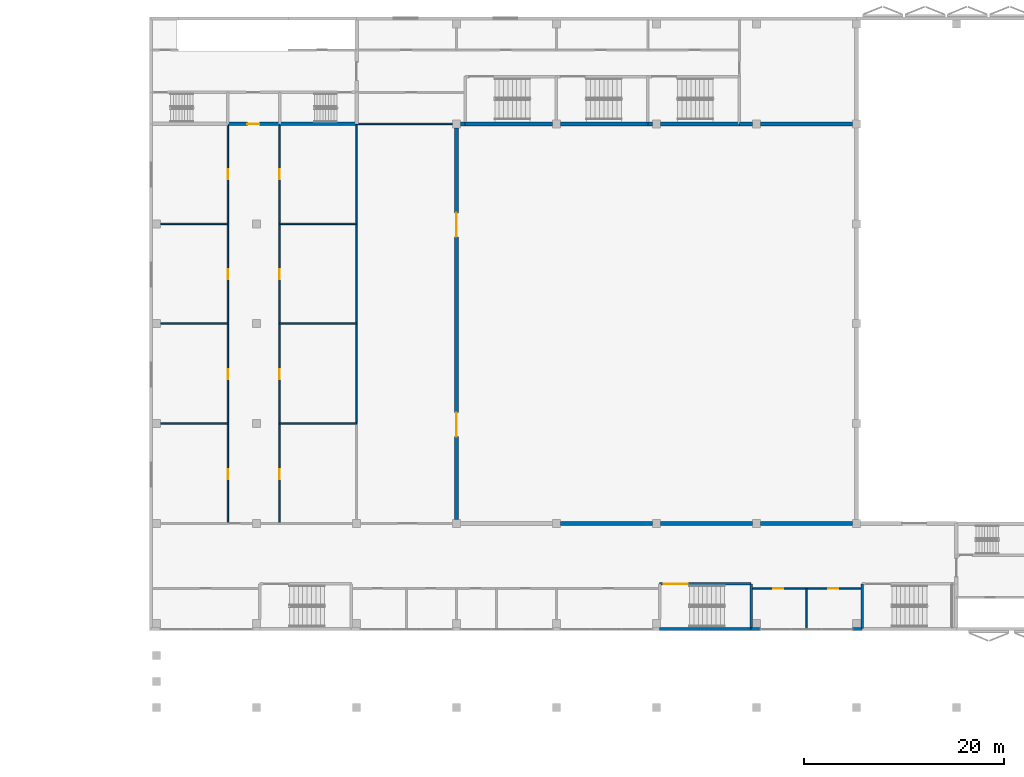
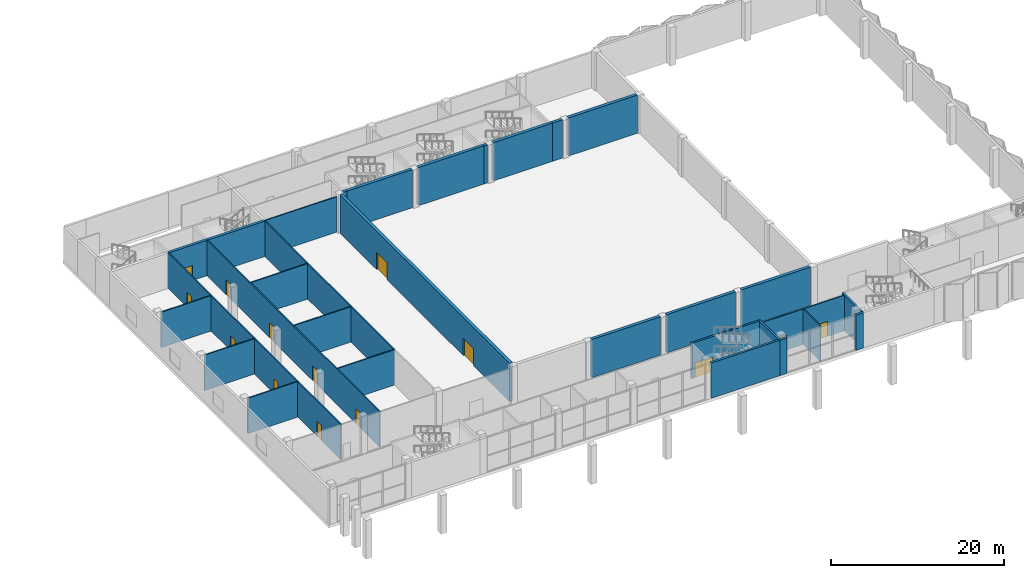
# One storey, part 14 of 35: 33 walls, 14 doors, 14 openings.
"""IFC4 building model written with IfcOpenShell, lengths in metres."""

from ifc_helpers import new_model, si_unit, direction, frame, frame_2d, origin, place, context, subcontext, project, spatial, rectangle, extrude, material, layer, layer_set, type_object, element, fill, save


model = new_model("IFC4")

# Units and contexts
model_context = context("Model", 3, precision=1e-05, world=origin(), true_north=direction((0.0, 1.0)))
body_context = subcontext(model_context, "Body", "Model", "MODEL_VIEW")
ifc_project = project(units=[si_unit("LENGTHUNIT", "METRE"), si_unit("AREAUNIT", "SQUARE_METRE"), si_unit("VOLUMEUNIT", "CUBIC_METRE"), si_unit("PLANEANGLEUNIT", "RADIAN"), si_unit("MASSUNIT", "GRAM", prefix="KILO")], contexts=[model_context])

# Site, building, storey
site_placement = place(None, origin())
site = spatial("IfcSite", under=ifc_project, at=site_placement, CompositionType="ELEMENT")
building_placement = place(site_placement, origin())
building = spatial("IfcBuilding", under=site, at=building_placement, Name="Jabali Bay Hotel Tower and Convention Centre", CompositionType="ELEMENT")
storey_placement = place(building_placement, frame((0.0, 0.0, 15.0)))
storey = spatial("IfcBuildingStorey", under=building, at=storey_placement, Name="L02", CompositionType="ELEMENT", Elevation=15.0)

# Wall, opening, door
ifc_material_1 = material(Name="Concrete C60", Category="concrete")
ifc_layer_1 = layer(ifc_material_1, 0.35009765625)
ifc_layer_set_1 = layer_set([ifc_layer_1], Name="Concrete C60")
wall_type_1 = type_object("IfcWallType", Name="CC Core Wall 350", PredefinedType="SHEAR", material=ifc_layer_set_1)
wall_1_placement = place(storey_placement, frame((163.0, 100.0, 0.0), z_axis=(0.0, 0.0, 1.0), x_axis=(-1.0, 0.0, 0.0)))
wall_1 = element("IfcWall", 1, at=wall_1_placement, inside=storey, type_object=wall_type_1, Name="CC west core wall", PredefinedType="SHEAR", context=body_context, shape_type="SweptSolid", body=[
    extrude(rectangle(XDim=5.175048828125, YDim=0.35009765625, at=frame_2d((2.58740234375, 0.0))), origin(), (0.0, 0.0, 1.0), 4.989990234375),
])
opening_1_placement = place(wall_1_placement, frame((2.02490234375, 0.0, 0.0)))
opening_1 = element("IfcOpeningElement", 2, at=opening_1_placement, cuts=wall_1, Name="Opening CC-D037", PredefinedType="OPENING", context=body_context, shape_type="SweptSolid", body=[
    extrude(rectangle(XDim=1.199951171875, YDim=2.10009765625, at=frame_2d((0.60009765625, 1.050048828125))), frame((0.0, 0.185546875, 0.0), z_axis=(0.0, -1.0, 0.0), x_axis=(1.0, 0.0, 0.0)), (0.0, 0.0, 1.0), 0.37109375),
])
ifc_material_2 = material(Name="Timber and steel door set", Category="steel")
door_type_1 = type_object("IfcDoorType", Name="CC Vestibule Door 1200x2100", OperationType="NOTDEFINED", PredefinedType="DOOR", material=ifc_material_2)
door_1_placement = place(opening_1_placement, origin())
door_1 = element("IfcDoor", 3, at=door_1_placement, inside=storey, type_object=door_type_1, Name="CC door CC-D037", OperationType="SINGLE_SWING_LEFT", OverallHeight=2.10009765625, OverallWidth=1.199951171875, PredefinedType="DOOR", context=body_context, shape_type="SweptSolid", body=[
    extrude(rectangle(XDim=1.199951171875, YDim=2.10009765625, at=frame_2d((0.60009765625, 1.050048828125))), frame((0.0, 0.02490234375, 0.0), z_axis=(0.0, -1.0, 0.0), x_axis=(1.0, 0.0, 0.0)), (0.0, 0.0, 1.0), 0.050048828125),
])
fill(opening_1, door_1)

# Walls
wall_2_placement = place(storey_placement, frame((163.0, 100.0, 0.0), z_axis=(0.0, 0.0, 1.0), x_axis=(1.0, 0.0, 0.0)))
element("IfcWall", 4, at=wall_2_placement, inside=storey, type_object=wall_type_1, Name="CC west core wall", PredefinedType="SHEAR", context=body_context, shape_type="SweptSolid", body=[
    extrude(rectangle(XDim=7.699951171875, YDim=0.35009765625, at=frame_2d((3.85009765625, 0.0))), origin(), (0.0, 0.0, 1.0), 4.989990234375),
])
ifc_material_3 = material(Name="Concrete C40", Category="concrete")
ifc_layer_2 = layer(ifc_material_3, 0.300048828125)
ifc_layer_set_2 = layer_set([ifc_layer_2], Name="Concrete C40")
wall_type_2 = type_object("IfcWallType", Name="CC External Wall 300", PredefinedType="SOLIDWALL", material=ifc_layer_set_2)
wall_3_placement = place(storey_placement, frame((201.02490234375, 49.449951171875, 0.0), z_axis=(0.0, 0.0, 1.0), x_axis=(1.0, 0.0, 0.0)))
element("IfcWall", 5, at=wall_3_placement, inside=storey, type_object=wall_type_2, Name="CC wall 298", PredefinedType="SOLIDWALL", context=body_context, shape_type="SweptSolid", body=[
    extrude(rectangle(XDim=9.150146484375, YDim=0.300048828125, at=frame_2d((4.5751953125, 0.0))), origin(), (0.0, 0.0, 1.0), 4.989990234375),
])
wall_4_placement = place(storey_placement, frame((210.175048828125, 49.449951171875, 0.0), z_axis=(0.0, 0.0, 1.0), x_axis=(1.0, 0.0, 0.0)))
element("IfcWall", 6, at=wall_4_placement, inside=storey, type_object=wall_type_2, Name="CC wall 299", PredefinedType="SOLIDWALL", context=body_context, shape_type="SweptSolid", body=[
    extrude(rectangle(XDim=0.925048828125, YDim=0.300048828125, at=frame_2d((0.46240234375, 0.0))), origin(), (0.0, 0.0, 1.0), 4.989990234375),
])
wall_5_placement = place(storey_placement, frame((220.300048828125, 49.449951171875, 0.0), z_axis=(0.0, 0.0, 1.0), x_axis=(1.0, 0.0, 0.0)))
element("IfcWall", 7, at=wall_5_placement, inside=storey, type_object=wall_type_2, Name="CC wall 300", PredefinedType="SOLIDWALL", context=body_context, shape_type="SweptSolid", body=[
    extrude(rectangle(XDim=0.974853515625, YDim=0.300048828125, at=frame_2d((0.4873046875, 0.0))), origin(), (0.0, 0.0, 1.0), 4.989990234375),
])

# Wall, openings, doors
ifc_layer_3 = layer(ifc_material_3, 0.39990234375)
ifc_layer_set_3 = layer_set([ifc_layer_3], Name="Concrete C40")
wall_type_3 = type_object("IfcWallType", Name="CC Hall Wall 400", PredefinedType="SHEAR", material=ifc_layer_set_3)
wall_6_placement = place(storey_placement, frame((180.699951171875, 60.39990234375, 0.0), z_axis=(0.0, 0.0, 1.0), x_axis=(0.0, 1.0, 0.0)))
wall_6 = element("IfcWall", 8, at=wall_6_placement, inside=storey, type_object=wall_type_3, Name="CC ballroom wall", PredefinedType="SHEAR", context=body_context, shape_type="SweptSolid", body=[
    extrude(rectangle(XDim=39.2001953125, YDim=0.39990234375, at=frame_2d((19.60009765625, 0.0))), origin(), (0.0, 0.0, 1.0), 5.39990234375),
])
opening_2_placement = place(wall_6_placement, frame((8.300048828125, 0.0, 0.0)))
opening_2 = element("IfcOpeningElement", 9, at=opening_2_placement, cuts=wall_6, Name="Opening CC-D117", PredefinedType="OPENING", context=body_context, shape_type="SweptSolid", body=[
    extrude(rectangle(XDim=2.39990234375, YDim=2.39990234375, at=frame_2d((1.199951171875, 1.199951171875))), frame((0.0, 0.21044921875, 0.0), z_axis=(0.0, -1.0, 0.0), x_axis=(1.0, 0.0, 0.0)), (0.0, 0.0, 1.0), 0.4208984375),
])
opening_3_placement = place(wall_6_placement, frame((28.300048828125, 0.0, 0.0)))
opening_3 = element("IfcOpeningElement", 10, at=opening_3_placement, cuts=wall_6, Name="Opening CC-D118", PredefinedType="OPENING", context=body_context, shape_type="SweptSolid", body=[
    extrude(rectangle(XDim=2.39990234375, YDim=2.39990234375, at=frame_2d((1.199951171875, 1.199951171875))), frame((0.0, 0.21044921875, 0.0), z_axis=(0.0, -1.0, 0.0), x_axis=(1.0, 0.0, 0.0)), (0.0, 0.0, 1.0), 0.4208984375),
])
door_type_2 = type_object("IfcDoorType", Name="CC Hall Double Door 2400x2400", OperationType="NOTDEFINED", PredefinedType="DOOR", material=ifc_material_2)
door_2_placement = place(opening_2_placement, origin())
door_2 = element("IfcDoor", 11, at=door_2_placement, inside=storey, type_object=door_type_2, Name="CC door CC-D117", OperationType="DOUBLE_DOOR_SINGLE_SWING", OverallHeight=2.39990234375, OverallWidth=2.39990234375, PredefinedType="DOOR", context=body_context, shape_type="SweptSolid", body=[
    extrude(rectangle(XDim=2.39990234375, YDim=2.39990234375, at=frame_2d((1.199951171875, 1.199951171875))), frame((0.0, 0.02490234375, 0.0), z_axis=(0.0, -1.0, 0.0), x_axis=(1.0, 0.0, 0.0)), (0.0, 0.0, 1.0), 0.050048828125),
])
fill(opening_2, door_2)
door_3_placement = place(opening_3_placement, origin())
door_3 = element("IfcDoor", 12, at=door_3_placement, inside=storey, type_object=door_type_2, Name="CC door CC-D118", OperationType="DOUBLE_DOOR_SINGLE_SWING", OverallHeight=2.39990234375, OverallWidth=2.39990234375, PredefinedType="DOOR", context=body_context, shape_type="SweptSolid", body=[
    extrude(rectangle(XDim=2.39990234375, YDim=2.39990234375, at=frame_2d((1.199951171875, 1.199951171875))), frame((0.0, 0.02490234375, 0.0), z_axis=(0.0, -1.0, 0.0), x_axis=(1.0, 0.0, 0.0)), (0.0, 0.0, 1.0), 0.050048828125),
])
fill(opening_3, door_3)

# Walls
for number, where, z_axis, x_axis, name in (
    (13, (191.10009765625, 60.0, 0.0), (0.0, 0.0, 1.0), (1.0, 0.0, 0.0), "CC ballroom wall"),
    (14, (201.10009765625, 60.0, 0.0), (0.0, 0.0, 1.0), (1.0, 0.0, 0.0), "CC ballroom wall"),
    (15, (211.10009765625, 60.0, 0.0), (0.0, 0.0, 1.0), (1.0, 0.0, 0.0), "CC ballroom wall"),
):
    element("IfcWall", number, at=place(storey_placement, frame(where, z_axis=z_axis, x_axis=x_axis)), inside=storey, type_object=wall_type_3, Name=name, PredefinedType="SHEAR", context=body_context, shape_type="SweptSolid", body=[
        extrude(rectangle(XDim=9.199951171875, YDim=0.39990234375, at=frame_2d((4.60009765625, 0.0))), origin(), (0.0, 0.0, 1.0), 5.39990234375),
    ])
wall_7_placement = place(storey_placement, frame((181.10009765625, 100.0, 0.0), z_axis=(0.0, 0.0, 1.0), x_axis=(1.0, 0.0, 0.0)))
element("IfcWall", 16, at=wall_7_placement, inside=storey, type_object=wall_type_3, Name="CC ballroom wall", PredefinedType="SHEAR", context=body_context, shape_type="SweptSolid", body=[
    extrude(rectangle(XDim=0.449951171875, YDim=0.39990234375, at=frame_2d((0.22509765625, 0.0))), origin(), (0.0, 0.0, 1.0), 5.39990234375),
])
for number, where, z_axis, x_axis, name in (
    (17, (181.550048828125, 100.0, 0.0), (0.0, 0.0, 1.0), (1.0, 0.0, 0.0), "CC ballroom wall"),
    (18, (191.10009765625, 100.0, 0.0), (0.0, 0.0, 1.0), (1.0, 0.0, 0.0), "CC ballroom wall"),
):
    element("IfcWall", number, at=place(storey_placement, frame(where, z_axis=z_axis, x_axis=x_axis)), inside=storey, type_object=wall_type_3, Name=name, PredefinedType="SHEAR", context=body_context, shape_type="SweptSolid", body=[
        extrude(rectangle(XDim=8.75, YDim=0.39990234375, at=frame_2d((4.375, 0.0))), origin(), (0.0, 0.0, 1.0), 5.39990234375),
    ])
wall_8_placement = place(storey_placement, frame((199.85009765625, 100.0, 0.0), z_axis=(0.0, 0.0, 1.0), x_axis=(1.0, 0.0, 0.0)))
element("IfcWall", 19, at=wall_8_placement, inside=storey, type_object=wall_type_3, Name="CC ballroom wall", PredefinedType="SHEAR", context=body_context, shape_type="SweptSolid", body=[
    extrude(rectangle(XDim=0.449951171875, YDim=0.39990234375, at=frame_2d((0.22509765625, 0.0))), origin(), (0.0, 0.0, 1.0), 5.39990234375),
])
wall_9_placement = place(storey_placement, frame((201.10009765625, 100.0, 0.0), z_axis=(0.0, 0.0, 1.0), x_axis=(1.0, 0.0, 0.0)))
element("IfcWall", 20, at=wall_9_placement, inside=storey, type_object=wall_type_3, Name="CC ballroom wall", PredefinedType="SHEAR", context=body_context, shape_type="SweptSolid", body=[
    extrude(rectangle(XDim=7.89990234375, YDim=0.39990234375, at=frame_2d((3.949951171875, 0.0))), origin(), (0.0, 0.0, 1.0), 5.39990234375),
])
wall_10_placement = place(storey_placement, frame((209.0, 100.0, 0.0), z_axis=(0.0, 0.0, 1.0), x_axis=(1.0, 0.0, 0.0)))
element("IfcWall", 21, at=wall_10_placement, inside=storey, type_object=wall_type_3, Name="CC ballroom wall", PredefinedType="SHEAR", context=body_context, shape_type="SweptSolid", body=[
    extrude(rectangle(XDim=1.300048828125, YDim=0.39990234375, at=frame_2d((0.64990234375, 0.0))), origin(), (0.0, 0.0, 1.0), 5.39990234375),
])
wall_11_placement = place(storey_placement, frame((211.10009765625, 100.0, 0.0), z_axis=(0.0, 0.0, 1.0), x_axis=(1.0, 0.0, 0.0)))
element("IfcWall", 22, at=wall_11_placement, inside=storey, type_object=wall_type_3, Name="CC ballroom wall", PredefinedType="SHEAR", context=body_context, shape_type="SweptSolid", body=[
    extrude(rectangle(XDim=9.199951171875, YDim=0.39990234375, at=frame_2d((4.60009765625, 0.0))), origin(), (0.0, 0.0, 1.0), 5.39990234375),
])

# Wall, openings, doors
ifc_material_4 = material(Name="Blockwork M10", Category="masonry")
ifc_layer_4 = layer(ifc_material_4, 0.14990234375)
ifc_layer_set_4 = layer_set([ifc_layer_4], Name="Blockwork M10")
wall_type_4 = type_object("IfcWallType", Name="CC Partition 150", PredefinedType="PARTITIONING", material=ifc_layer_set_4)
wall_12_placement = place(storey_placement, frame((210.175048828125, 53.5, 0.0), z_axis=(0.0, 0.0, 1.0), x_axis=(1.0, 0.0, 0.0)))
wall_12 = element("IfcWall", 23, at=wall_12_placement, inside=storey, type_object=wall_type_4, Name="CC wall 414", PredefinedType="PARTITIONING", context=body_context, shape_type="SweptSolid", body=[
    extrude(rectangle(XDim=11.099853515625, YDim=0.14990234375, at=frame_2d((5.5498046875, 0.0))), origin(), (0.0, 0.0, 1.0), 4.989990234375),
])
opening_4_placement = place(wall_12_placement, frame((7.72509765625, 0.0, 0.0)))
opening_4 = element("IfcOpeningElement", 24, at=opening_4_placement, cuts=wall_12, Name="Opening CC-D030", PredefinedType="OPENING", context=body_context, shape_type="SweptSolid", body=[
    extrude(rectangle(XDim=1.0, YDim=2.10009765625, at=frame_2d((0.5, 1.050048828125))), frame((0.0, 0.08544921875, 0.0), z_axis=(0.0, -1.0, 0.0), x_axis=(1.0, 0.0, 0.0)), (0.0, 0.0, 1.0), 0.1708984375),
])
opening_5_placement = place(wall_12_placement, frame((2.199951171875, 0.0, 0.0)))
opening_5 = element("IfcOpeningElement", 25, at=opening_5_placement, cuts=wall_12, Name="Opening CC-D032", PredefinedType="OPENING", context=body_context, shape_type="SweptSolid", body=[
    extrude(rectangle(XDim=1.0, YDim=2.10009765625, at=frame_2d((0.5, 1.050048828125))), frame((0.0, 0.08544921875, 0.0), z_axis=(0.0, -1.0, 0.0), x_axis=(1.0, 0.0, 0.0)), (0.0, 0.0, 1.0), 0.1708984375),
])
door_type_3 = type_object("IfcDoorType", Name="CC Single Door 1000x2100", OperationType="NOTDEFINED", PredefinedType="DOOR", material=ifc_material_2)
door_4_placement = place(opening_4_placement, origin())
door_4 = element("IfcDoor", 26, at=door_4_placement, inside=storey, type_object=door_type_3, Name="CC door CC-D030", OperationType="SINGLE_SWING_RIGHT", OverallHeight=2.10009765625, OverallWidth=1.0, PredefinedType="DOOR", context=body_context, shape_type="SweptSolid", body=[
    extrude(rectangle(XDim=1.0, YDim=2.10009765625, at=frame_2d((0.5, 1.050048828125))), frame((0.0, 0.02490234375, 0.0), z_axis=(0.0, -1.0, 0.0), x_axis=(1.0, 0.0, 0.0)), (0.0, 0.0, 1.0), 0.050048828125),
])
fill(opening_4, door_4)
door_5_placement = place(opening_5_placement, origin())
door_5 = element("IfcDoor", 27, at=door_5_placement, inside=storey, type_object=door_type_3, Name="CC door CC-D032", OperationType="SINGLE_SWING_RIGHT", OverallHeight=2.10009765625, OverallWidth=1.0, PredefinedType="DOOR", context=body_context, shape_type="SweptSolid", body=[
    extrude(rectangle(XDim=1.0, YDim=2.10009765625, at=frame_2d((0.5, 1.050048828125))), frame((0.0, 0.02490234375, 0.0), z_axis=(0.0, -1.0, 0.0), x_axis=(1.0, 0.0, 0.0)), (0.0, 0.0, 1.0), 0.050048828125),
])
fill(opening_5, door_5)

# Wall
wall_13_placement = place(storey_placement, frame((215.699951171875, 49.5, 0.0), z_axis=(0.0, 0.0, 1.0), x_axis=(0.0, 1.0, 0.0)))
element("IfcWall", 28, at=wall_13_placement, inside=storey, type_object=wall_type_4, Name="CC wall 430", PredefinedType="PARTITIONING", context=body_context, shape_type="SweptSolid", body=[
    extrude(rectangle(XDim=4.0, YDim=0.14990234375, at=frame_2d((2.0, 0.0))), origin(), (0.0, 0.0, 1.0), 4.989990234375),
])

# Wall, openings, doors
wall_14_placement = place(storey_placement, frame((157.824951171875, 100.0, 0.0), z_axis=(0.0, 0.0, 1.0), x_axis=(0.0, -1.0, 0.0)))
wall_14 = element("IfcWall", 29, at=wall_14_placement, inside=storey, type_object=wall_type_4, Name="CC wall 431", PredefinedType="PARTITIONING", context=body_context, shape_type="SweptSolid", body=[
    extrude(rectangle(XDim=40.0, YDim=0.14990234375, at=frame_2d((20.0, 0.0))), origin(), (0.0, 0.0, 1.0), 4.989990234375),
])
opening_6_placement = place(wall_14_placement, frame((34.550048828125, 0.0, 0.0)))
opening_6 = element("IfcOpeningElement", 30, at=opening_6_placement, cuts=wall_14, Name="Opening CC-D038", PredefinedType="OPENING", context=body_context, shape_type="SweptSolid", body=[
    extrude(rectangle(XDim=1.0, YDim=2.10009765625, at=frame_2d((0.5, 1.050048828125))), frame((0.0, 0.08544921875, 0.0), z_axis=(0.0, -1.0, 0.0), x_axis=(1.0, 0.0, 0.0)), (0.0, 0.0, 1.0), 0.1708984375),
])
opening_7_placement = place(wall_14_placement, frame((24.550048828125, 0.0, 0.0)))
opening_7 = element("IfcOpeningElement", 31, at=opening_7_placement, cuts=wall_14, Name="Opening CC-D040", PredefinedType="OPENING", context=body_context, shape_type="SweptSolid", body=[
    extrude(rectangle(XDim=1.0, YDim=2.10009765625, at=frame_2d((0.5, 1.050048828125))), frame((0.0, 0.08544921875, 0.0), z_axis=(0.0, -1.0, 0.0), x_axis=(1.0, 0.0, 0.0)), (0.0, 0.0, 1.0), 0.1708984375),
])
opening_8_placement = place(wall_14_placement, frame((14.550048828125, 0.0, 0.0)))
opening_8 = element("IfcOpeningElement", 32, at=opening_8_placement, cuts=wall_14, Name="Opening CC-D042", PredefinedType="OPENING", context=body_context, shape_type="SweptSolid", body=[
    extrude(rectangle(XDim=1.0, YDim=2.10009765625, at=frame_2d((0.5, 1.050048828125))), frame((0.0, 0.08544921875, 0.0), z_axis=(0.0, -1.0, 0.0), x_axis=(1.0, 0.0, 0.0)), (0.0, 0.0, 1.0), 0.1708984375),
])
opening_9_placement = place(wall_14_placement, frame((4.550048828125, 0.0, 0.0)))
opening_9 = element("IfcOpeningElement", 33, at=opening_9_placement, cuts=wall_14, Name="Opening CC-D044", PredefinedType="OPENING", context=body_context, shape_type="SweptSolid", body=[
    extrude(rectangle(XDim=1.0, YDim=2.10009765625, at=frame_2d((0.5, 1.050048828125))), frame((0.0, 0.08544921875, 0.0), z_axis=(0.0, -1.0, 0.0), x_axis=(1.0, 0.0, 0.0)), (0.0, 0.0, 1.0), 0.1708984375),
])
door_6_placement = place(opening_6_placement, origin())
door_6 = element("IfcDoor", 34, at=door_6_placement, inside=storey, type_object=door_type_3, Name="CC door CC-D038", OperationType="SINGLE_SWING_RIGHT", OverallHeight=2.10009765625, OverallWidth=1.0, PredefinedType="DOOR", context=body_context, shape_type="SweptSolid", body=[
    extrude(rectangle(XDim=1.0, YDim=2.10009765625, at=frame_2d((0.5, 1.050048828125))), frame((0.0, 0.02490234375, 0.0), z_axis=(0.0, -1.0, 0.0), x_axis=(1.0, 0.0, 0.0)), (0.0, 0.0, 1.0), 0.050048828125),
])
fill(opening_6, door_6)
door_7_placement = place(opening_7_placement, origin())
door_7 = element("IfcDoor", 35, at=door_7_placement, inside=storey, type_object=door_type_3, Name="CC door CC-D040", OperationType="SINGLE_SWING_RIGHT", OverallHeight=2.10009765625, OverallWidth=1.0, PredefinedType="DOOR", context=body_context, shape_type="SweptSolid", body=[
    extrude(rectangle(XDim=1.0, YDim=2.10009765625, at=frame_2d((0.5, 1.050048828125))), frame((0.0, 0.02490234375, 0.0), z_axis=(0.0, -1.0, 0.0), x_axis=(1.0, 0.0, 0.0)), (0.0, 0.0, 1.0), 0.050048828125),
])
fill(opening_7, door_7)
door_8_placement = place(opening_8_placement, origin())
door_8 = element("IfcDoor", 36, at=door_8_placement, inside=storey, type_object=door_type_3, Name="CC door CC-D042", OperationType="SINGLE_SWING_RIGHT", OverallHeight=2.10009765625, OverallWidth=1.0, PredefinedType="DOOR", context=body_context, shape_type="SweptSolid", body=[
    extrude(rectangle(XDim=1.0, YDim=2.10009765625, at=frame_2d((0.5, 1.050048828125))), frame((0.0, 0.02490234375, 0.0), z_axis=(0.0, -1.0, 0.0), x_axis=(1.0, 0.0, 0.0)), (0.0, 0.0, 1.0), 0.050048828125),
])
fill(opening_8, door_8)
door_9_placement = place(opening_9_placement, origin())
door_9 = element("IfcDoor", 37, at=door_9_placement, inside=storey, type_object=door_type_3, Name="CC door CC-D044", OperationType="SINGLE_SWING_RIGHT", OverallHeight=2.10009765625, OverallWidth=1.0, PredefinedType="DOOR", context=body_context, shape_type="SweptSolid", body=[
    extrude(rectangle(XDim=1.0, YDim=2.10009765625, at=frame_2d((0.5, 1.050048828125))), frame((0.0, 0.02490234375, 0.0), z_axis=(0.0, -1.0, 0.0), x_axis=(1.0, 0.0, 0.0)), (0.0, 0.0, 1.0), 0.050048828125),
])
fill(opening_9, door_9)

wall_15_placement = place(storey_placement, frame((163.0, 60.0, 0.0), z_axis=(0.0, 0.0, 1.0), x_axis=(0.0, 1.0, 0.0)))
wall_15 = element("IfcWall", 38, at=wall_15_placement, inside=storey, type_object=wall_type_4, Name="CC wall 432", PredefinedType="PARTITIONING", context=body_context, shape_type="SweptSolid", body=[
    extrude(rectangle(XDim=40.0, YDim=0.14990234375, at=frame_2d((20.0, 0.0))), origin(), (0.0, 0.0, 1.0), 4.989990234375),
])
opening_10_placement = place(wall_15_placement, frame((4.449951171875, 0.0, 0.0)))
opening_10 = element("IfcOpeningElement", 39, at=opening_10_placement, cuts=wall_15, Name="Opening CC-D039", PredefinedType="OPENING", context=body_context, shape_type="SweptSolid", body=[
    extrude(rectangle(XDim=1.0, YDim=2.10009765625, at=frame_2d((0.5, 1.050048828125))), frame((0.0, 0.08544921875, 0.0), z_axis=(0.0, -1.0, 0.0), x_axis=(1.0, 0.0, 0.0)), (0.0, 0.0, 1.0), 0.1708984375),
])
opening_11_placement = place(wall_15_placement, frame((14.449951171875, 0.0, 0.0)))
opening_11 = element("IfcOpeningElement", 40, at=opening_11_placement, cuts=wall_15, Name="Opening CC-D041", PredefinedType="OPENING", context=body_context, shape_type="SweptSolid", body=[
    extrude(rectangle(XDim=1.0, YDim=2.10009765625, at=frame_2d((0.5, 1.050048828125))), frame((0.0, 0.08544921875, 0.0), z_axis=(0.0, -1.0, 0.0), x_axis=(1.0, 0.0, 0.0)), (0.0, 0.0, 1.0), 0.1708984375),
])
opening_12_placement = place(wall_15_placement, frame((24.449951171875, 0.0, 0.0)))
opening_12 = element("IfcOpeningElement", 41, at=opening_12_placement, cuts=wall_15, Name="Opening CC-D043", PredefinedType="OPENING", context=body_context, shape_type="SweptSolid", body=[
    extrude(rectangle(XDim=1.0, YDim=2.10009765625, at=frame_2d((0.5, 1.050048828125))), frame((0.0, 0.08544921875, 0.0), z_axis=(0.0, -1.0, 0.0), x_axis=(1.0, 0.0, 0.0)), (0.0, 0.0, 1.0), 0.1708984375),
])
opening_13_placement = place(wall_15_placement, frame((34.449951171875, 0.0, 0.0)))
opening_13 = element("IfcOpeningElement", 42, at=opening_13_placement, cuts=wall_15, Name="Opening CC-D045", PredefinedType="OPENING", context=body_context, shape_type="SweptSolid", body=[
    extrude(rectangle(XDim=1.0, YDim=2.10009765625, at=frame_2d((0.5, 1.050048828125))), frame((0.0, 0.08544921875, 0.0), z_axis=(0.0, -1.0, 0.0), x_axis=(1.0, 0.0, 0.0)), (0.0, 0.0, 1.0), 0.1708984375),
])
door_10_placement = place(opening_10_placement, origin())
door_10 = element("IfcDoor", 43, at=door_10_placement, inside=storey, type_object=door_type_3, Name="CC door CC-D039", OperationType="SINGLE_SWING_LEFT", OverallHeight=2.10009765625, OverallWidth=1.0, PredefinedType="DOOR", context=body_context, shape_type="SweptSolid", body=[
    extrude(rectangle(XDim=1.0, YDim=2.10009765625, at=frame_2d((0.5, 1.050048828125))), frame((0.0, 0.02490234375, 0.0), z_axis=(0.0, -1.0, 0.0), x_axis=(1.0, 0.0, 0.0)), (0.0, 0.0, 1.0), 0.050048828125),
])
fill(opening_10, door_10)
door_11_placement = place(opening_11_placement, origin())
door_11 = element("IfcDoor", 44, at=door_11_placement, inside=storey, type_object=door_type_3, Name="CC door CC-D041", OperationType="SINGLE_SWING_LEFT", OverallHeight=2.10009765625, OverallWidth=1.0, PredefinedType="DOOR", context=body_context, shape_type="SweptSolid", body=[
    extrude(rectangle(XDim=1.0, YDim=2.10009765625, at=frame_2d((0.5, 1.050048828125))), frame((0.0, 0.02490234375, 0.0), z_axis=(0.0, -1.0, 0.0), x_axis=(1.0, 0.0, 0.0)), (0.0, 0.0, 1.0), 0.050048828125),
])
fill(opening_11, door_11)
door_12_placement = place(opening_12_placement, origin())
door_12 = element("IfcDoor", 45, at=door_12_placement, inside=storey, type_object=door_type_3, Name="CC door CC-D043", OperationType="SINGLE_SWING_LEFT", OverallHeight=2.10009765625, OverallWidth=1.0, PredefinedType="DOOR", context=body_context, shape_type="SweptSolid", body=[
    extrude(rectangle(XDim=1.0, YDim=2.10009765625, at=frame_2d((0.5, 1.050048828125))), frame((0.0, 0.02490234375, 0.0), z_axis=(0.0, -1.0, 0.0), x_axis=(1.0, 0.0, 0.0)), (0.0, 0.0, 1.0), 0.050048828125),
])
fill(opening_12, door_12)
door_13_placement = place(opening_13_placement, origin())
door_13 = element("IfcDoor", 46, at=door_13_placement, inside=storey, type_object=door_type_3, Name="CC door CC-D045", OperationType="SINGLE_SWING_LEFT", OverallHeight=2.10009765625, OverallWidth=1.0, PredefinedType="DOOR", context=body_context, shape_type="SweptSolid", body=[
    extrude(rectangle(XDim=1.0, YDim=2.10009765625, at=frame_2d((0.5, 1.050048828125))), frame((0.0, 0.02490234375, 0.0), z_axis=(0.0, -1.0, 0.0), x_axis=(1.0, 0.0, 0.0)), (0.0, 0.0, 1.0), 0.050048828125),
])
fill(opening_13, door_13)

# Walls
wall_16_placement = place(storey_placement, frame((151.10009765625, 70.0, 0.0), z_axis=(0.0, 0.0, 1.0), x_axis=(1.0, 0.0, 0.0)))
element("IfcWall", 47, at=wall_16_placement, inside=storey, type_object=wall_type_4, Name="CC wall 433", PredefinedType="PARTITIONING", context=body_context, shape_type="SweptSolid", body=[
    extrude(rectangle(XDim=6.724853515625, YDim=0.14990234375, at=frame_2d((3.3623046875, 0.0))), origin(), (0.0, 0.0, 1.0), 4.989990234375),
])
wall_17_placement = place(storey_placement, frame((163.0, 70.0, 0.0), z_axis=(0.0, 0.0, 1.0), x_axis=(1.0, 0.0, 0.0)))
element("IfcWall", 48, at=wall_17_placement, inside=storey, type_object=wall_type_4, Name="CC wall 434", PredefinedType="PARTITIONING", context=body_context, shape_type="SweptSolid", body=[
    extrude(rectangle(XDim=7.699951171875, YDim=0.14990234375, at=frame_2d((3.85009765625, 0.0))), origin(), (0.0, 0.0, 1.0), 4.989990234375),
])
wall_18_placement = place(storey_placement, frame((151.10009765625, 80.0, 0.0), z_axis=(0.0, 0.0, 1.0), x_axis=(1.0, 0.0, 0.0)))
element("IfcWall", 49, at=wall_18_placement, inside=storey, type_object=wall_type_4, Name="CC wall 436", PredefinedType="PARTITIONING", context=body_context, shape_type="SweptSolid", body=[
    extrude(rectangle(XDim=6.724853515625, YDim=0.14990234375, at=frame_2d((3.3623046875, 0.0))), origin(), (0.0, 0.0, 1.0), 4.989990234375),
])
wall_19_placement = place(storey_placement, frame((163.0, 80.0, 0.0), z_axis=(0.0, 0.0, 1.0), x_axis=(1.0, 0.0, 0.0)))
element("IfcWall", 50, at=wall_19_placement, inside=storey, type_object=wall_type_4, Name="CC wall 437", PredefinedType="PARTITIONING", context=body_context, shape_type="SweptSolid", body=[
    extrude(rectangle(XDim=7.699951171875, YDim=0.14990234375, at=frame_2d((3.85009765625, 0.0))), origin(), (0.0, 0.0, 1.0), 4.989990234375),
])
wall_20_placement = place(storey_placement, frame((170.699951171875, 70.0, 0.0), z_axis=(0.0, 0.0, 1.0), x_axis=(0.0, 1.0, 0.0)))
element("IfcWall", 51, at=wall_20_placement, inside=storey, type_object=wall_type_4, Name="CC wall 438", PredefinedType="PARTITIONING", context=body_context, shape_type="SweptSolid", body=[
    extrude(rectangle(XDim=10.0, YDim=0.14990234375, at=frame_2d((5.0, 0.0))), origin(), (0.0, 0.0, 1.0), 4.989990234375),
])
wall_21_placement = place(storey_placement, frame((151.10009765625, 90.0, 0.0), z_axis=(0.0, 0.0, 1.0), x_axis=(1.0, 0.0, 0.0)))
element("IfcWall", 52, at=wall_21_placement, inside=storey, type_object=wall_type_4, Name="CC wall 439", PredefinedType="PARTITIONING", context=body_context, shape_type="SweptSolid", body=[
    extrude(rectangle(XDim=6.724853515625, YDim=0.14990234375, at=frame_2d((3.3623046875, 0.0))), origin(), (0.0, 0.0, 1.0), 4.989990234375),
])
wall_22_placement = place(storey_placement, frame((163.0, 90.0, 0.0), z_axis=(0.0, 0.0, 1.0), x_axis=(1.0, 0.0, 0.0)))
element("IfcWall", 53, at=wall_22_placement, inside=storey, type_object=wall_type_4, Name="CC wall 440", PredefinedType="PARTITIONING", context=body_context, shape_type="SweptSolid", body=[
    extrude(rectangle(XDim=7.699951171875, YDim=0.14990234375, at=frame_2d((3.85009765625, 0.0))), origin(), (0.0, 0.0, 1.0), 4.989990234375),
])
for number, where, z_axis, x_axis, name in (
    (54, (170.699951171875, 80.0, 0.0), (0.0, 0.0, 1.0), (0.0, 1.0, 0.0), "CC wall 441"),
    (55, (170.699951171875, 90.0, 0.0), (0.0, 0.0, 1.0), (0.0, 1.0, 0.0), "CC wall 442"),
):
    element("IfcWall", number, at=place(storey_placement, frame(where, z_axis=z_axis, x_axis=x_axis)), inside=storey, type_object=wall_type_4, Name=name, PredefinedType="PARTITIONING", context=body_context, shape_type="SweptSolid", body=[
        extrude(rectangle(XDim=10.0, YDim=0.14990234375, at=frame_2d((5.0, 0.0))), origin(), (0.0, 0.0, 1.0), 4.989990234375),
    ])
wall_23_placement = place(storey_placement, frame((170.699951171875, 100.0, 0.0), z_axis=(0.0, 0.0, 1.0), x_axis=(1.0, 0.0, 0.0)))
element("IfcWall", 56, at=wall_23_placement, inside=storey, type_object=wall_type_4, Name="CC wall 443", PredefinedType="PARTITIONING", context=body_context, shape_type="SweptSolid", body=[
    extrude(rectangle(XDim=9.60009765625, YDim=0.14990234375, at=frame_2d((4.800048828125, 0.0))), origin(), (0.0, 0.0, 1.0), 4.989990234375),
])

# Wall, opening, door
ifc_layer_5 = layer(ifc_material_3, 0.25)
ifc_layer_set_5 = layer_set([ifc_layer_5], Name="Concrete C40")
wall_type_5 = type_object("IfcWallType", Name="CC Shaft Wall 250", PredefinedType="SHEAR", material=ifc_layer_set_5)
wall_24_placement = place(storey_placement, frame((201.02490234375, 53.97509765625, 0.0), z_axis=(0.0, 0.0, 1.0), x_axis=(1.0, 0.0, 0.0)))
wall_24 = element("IfcWall", 57, at=wall_24_placement, inside=storey, type_object=wall_type_5, Name="CC wall 421", PredefinedType="SHEAR", context=body_context, shape_type="SweptSolid", body=[
    extrude(rectangle(XDim=9.150146484375, YDim=0.25, at=frame_2d((4.5751953125, 0.0))), origin(), (0.0, 0.0, 1.0), 4.989990234375),
])
opening_14_placement = place(wall_24_placement, frame((0.425048828125, 0.0, 0.0)))
opening_14 = element("IfcOpeningElement", 58, at=opening_14_placement, cuts=wall_24, Name="Opening CC-D221", PredefinedType="OPENING", context=body_context, shape_type="SweptSolid", body=[
    extrude(rectangle(XDim=2.39990234375, YDim=2.10009765625, at=frame_2d((1.199951171875, 1.050048828125))), frame((0.0, 0.135498046875, 0.0), z_axis=(0.0, -1.0, 0.0), x_axis=(1.0, 0.0, 0.0)), (0.0, 0.0, 1.0), 0.27099609375),
])
door_type_4 = type_object("IfcDoorType", Name="CC Stair Door Pair 2400x2100", OperationType="NOTDEFINED", PredefinedType="DOOR", material=ifc_material_2)
door_14_placement = place(opening_14_placement, origin())
door_14 = element("IfcDoor", 59, at=door_14_placement, inside=storey, type_object=door_type_4, Name="CC door CC-D221", OperationType="DOUBLE_DOOR_SINGLE_SWING", OverallHeight=2.10009765625, OverallWidth=2.39990234375, PredefinedType="DOOR", context=body_context, shape_type="SweptSolid", body=[
    extrude(rectangle(XDim=2.39990234375, YDim=2.10009765625, at=frame_2d((1.199951171875, 1.050048828125))), frame((0.0, 0.02490234375, 0.0), z_axis=(0.0, -1.0, 0.0), x_axis=(1.0, 0.0, 0.0)), (0.0, 0.0, 1.0), 0.050048828125),
])
fill(opening_14, door_14)

# Walls
for number, where, z_axis, x_axis, name in (
    (60, (210.175048828125, 49.5, 0.0), (0.0, 0.0, 1.0), (0.0, 1.0, 0.0), "CC wall 423"),
    (61, (221.27490234375, 49.5, 0.0), (0.0, 0.0, 1.0), (0.0, 1.0, 0.0), "CC wall 425"),
):
    element("IfcWall", number, at=place(storey_placement, frame(where, z_axis=z_axis, x_axis=x_axis)), inside=storey, type_object=wall_type_5, Name=name, PredefinedType="SHEAR", context=body_context, shape_type="SweptSolid", body=[
        extrude(rectangle(XDim=4.47509765625, YDim=0.25, at=frame_2d((2.237548828125, 0.0))), origin(), (0.0, 0.0, 1.0), 4.989990234375),
    ])

save(model, "model.ifc")
